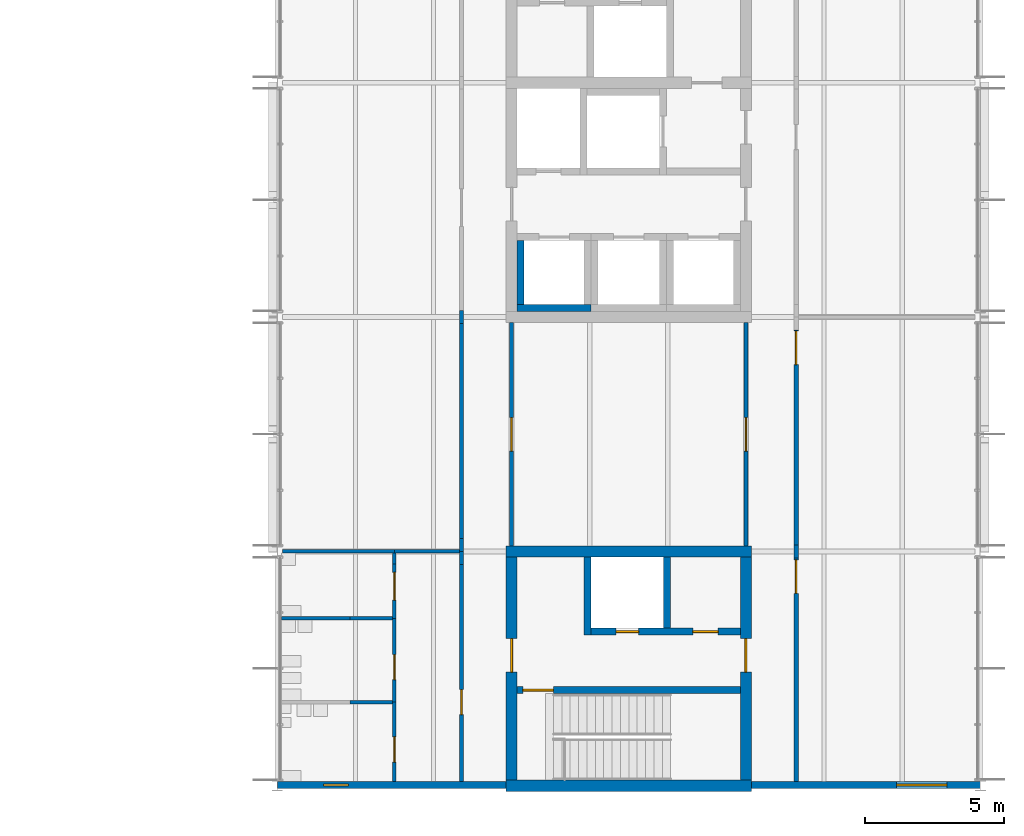
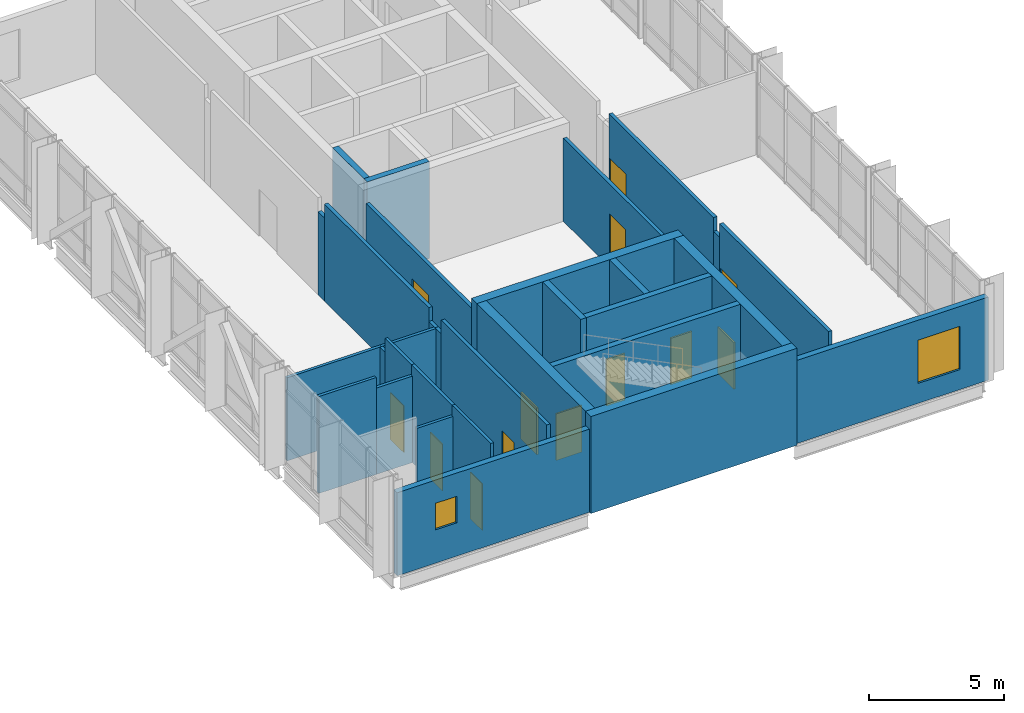
# One storey, part 9 of 14: 31 walls, 13 doors, 2 windows, 15 openings.
"""IFC4 building model written with IfcOpenShell, lengths in metres."""

from ifc_helpers import new_model, si_unit, direction, frame, frame_2d, origin, place, context, subcontext, project, spatial, rectangle, extrude, material, layer, layer_set, type_object, element, fill, save


model = new_model("IFC4")

# Units and contexts
model_context = context("Model", 3, precision=1e-05, world=origin(), true_north=direction((0.0, 1.0)))
body_context = subcontext(model_context, "Body", "Model", "MODEL_VIEW")
ifc_project = project(units=[si_unit("LENGTHUNIT", "METRE"), si_unit("AREAUNIT", "SQUARE_METRE"), si_unit("VOLUMEUNIT", "CUBIC_METRE"), si_unit("PLANEANGLEUNIT", "RADIAN"), si_unit("MASSUNIT", "GRAM", prefix="KILO")], contexts=[model_context])

# Site, building, storey
site_placement = place(None, origin())
site = spatial("IfcSite", under=ifc_project, at=site_placement, CompositionType="ELEMENT")
building_placement = place(site_placement, origin())
building = spatial("IfcBuilding", under=site, at=building_placement, Name="Hlaing Beacon Police Headquarters", CompositionType="ELEMENT")
storey_placement = place(building_placement, frame((0.0, 0.0, 27.89990234375)))
storey = spatial("IfcBuildingStorey", under=building, at=storey_placement, Name="L06", CompositionType="ELEMENT", Elevation=27.89990234375)

# Walls
ifc_material_1 = material(Name="Concrete C60/75", Category="concrete")
ifc_layer_1 = layer(ifc_material_1, 0.39990234375)
ifc_layer_set_1 = layer_set([ifc_layer_1], Name="Concrete C60/75")
wall_type_1 = type_object("IfcWallType", Name="Core shear wall 400", PredefinedType="SHEAR", material=ifc_layer_set_1)
for number, where, z_axis, x_axis, name in (
    (1, (109.0, 33.60009765625, 0.0), (0.0, 0.0, 1.0), (1.0, 0.0, 0.0), "Core shear wall"),
    (2, (109.0, 42.0, 0.0), (0.0, 0.0, 1.0), (1.0, 0.0, 0.0), "Core shear wall"),
):
    element("IfcWall", number, at=place(storey_placement, frame(where, z_axis=z_axis, x_axis=x_axis)), inside=storey, type_object=wall_type_1, Name=name, PredefinedType="SHEAR", context=body_context, shape_type="SweptSolid", body=[
        extrude(rectangle(XDim=8.800048828125, YDim=0.39990234375, at=frame_2d((4.39990234375, 0.0))), origin(), (0.0, 0.0, 1.0), 4.3701171875),
    ])

# Wall, opening, door
wall_1_placement = place(storey_placement, frame((109.199951171875, 33.800048828125, 0.0), z_axis=(0.0, 0.0, 1.0), x_axis=(0.0, 1.0, 0.0)))
wall_1 = element("IfcWall", 3, at=wall_1_placement, inside=storey, type_object=wall_type_1, Name="Core shear wall", PredefinedType="SHEAR", context=body_context, shape_type="SweptSolid", body=[
    extrude(rectangle(XDim=8.0, YDim=0.39990234375, at=frame_2d((4.0, 0.0))), origin(), (0.0, 0.0, 1.0), 4.3701171875),
])
opening_1_placement = place(wall_1_placement, frame((3.875, 0.0, 0.0)))
opening_1 = element("IfcOpeningElement", 4, at=opening_1_placement, cuts=wall_1, Name="Opening L06-912", PredefinedType="OPENING", context=body_context, shape_type="SweptSolid", body=[
    extrude(rectangle(XDim=1.199951171875, YDim=2.10009765625, at=frame_2d((0.60009765625, 1.050048828125))), frame((0.0, 0.2099609375, 0.0), z_axis=(0.0, -1.0, 0.0), x_axis=(1.0, 0.0, 0.0)), (0.0, 0.0, 1.0), 0.419921875),
])
ifc_material_2 = material(Name="Steel fire door leaf", Category="steel")
ifc_layer_2 = layer(ifc_material_2, 0.070068359375)
ifc_layer_set_2 = layer_set([ifc_layer_2], Name="Steel fire door leaf")
door_type_1 = type_object("IfcDoorType", Name="Steel fire door FD60S 1200x2100", OperationType="SINGLE_SWING_LEFT", PredefinedType="DOOR", material=ifc_layer_set_2)
door_1_placement = place(opening_1_placement, frame((1.199951171875, 0.0, 0.0), z_axis=(0.0, 0.0, 1.0), x_axis=(-1.0, 0.0, 0.0)))
door_1 = element("IfcDoor", 5, at=door_1_placement, inside=storey, type_object=door_type_1, Name="Door Stair Lobby ST-L Entry", OperationType="SINGLE_SWING_RIGHT", OverallHeight=2.10009765625, OverallWidth=1.199951171875, PredefinedType="DOOR", context=body_context, shape_type="SweptSolid", body=[
    extrude(rectangle(XDim=1.199951171875, YDim=2.10009765625, at=frame_2d((0.599853515625, 1.050048828125))), frame((0.0, 0.034912109375, 0.0), z_axis=(0.0, -1.0, 0.0), x_axis=(1.0, 0.0, 0.0)), (0.0, 0.0, 1.0), 0.070068359375),
])
fill(opening_1, door_1)

wall_2_placement = place(storey_placement, frame((117.60009765625, 33.800048828125, 0.0), z_axis=(0.0, 0.0, 1.0), x_axis=(0.0, 1.0, 0.0)))
wall_2 = element("IfcWall", 6, at=wall_2_placement, inside=storey, type_object=wall_type_1, Name="Core shear wall", PredefinedType="SHEAR", context=body_context, shape_type="SweptSolid", body=[
    extrude(rectangle(XDim=8.0, YDim=0.39990234375, at=frame_2d((4.0, 0.0))), origin(), (0.0, 0.0, 1.0), 4.3701171875),
])
opening_2_placement = place(wall_2_placement, frame((3.875, 0.0, 0.0)))
opening_2 = element("IfcOpeningElement", 7, at=opening_2_placement, cuts=wall_2, Name="Opening L06-913", PredefinedType="OPENING", context=body_context, shape_type="SweptSolid", body=[
    extrude(rectangle(XDim=1.199951171875, YDim=2.10009765625, at=frame_2d((0.60009765625, 1.050048828125))), frame((0.0, 0.2099609375, 0.0), z_axis=(0.0, -1.0, 0.0), x_axis=(1.0, 0.0, 0.0)), (0.0, 0.0, 1.0), 0.419921875),
])
door_2_placement = place(opening_2_placement, origin())
door_2 = element("IfcDoor", 8, at=door_2_placement, inside=storey, type_object=door_type_1, Name="Door Stair Lobby ST-L Entry", OperationType="SINGLE_SWING_LEFT", OverallHeight=2.10009765625, OverallWidth=1.199951171875, PredefinedType="DOOR", context=body_context, shape_type="SweptSolid", body=[
    extrude(rectangle(XDim=1.199951171875, YDim=2.10009765625, at=frame_2d((0.60009765625, 1.050048828125))), frame((0.0, 0.03515625, 0.0), z_axis=(0.0, -1.0, 0.0), x_axis=(1.0, 0.0, 0.0)), (0.0, 0.0, 1.0), 0.070068359375),
])
fill(opening_2, door_2)

ifc_material_3 = material(Name="Gypsum board partition")
ifc_layer_3 = layer(ifc_material_3, 0.14990234375)
ifc_layer_set_3 = layer_set([ifc_layer_3], Name="Gypsum board partition")
wall_type_2 = type_object("IfcWallType", Name="Corridor wall EI 30 150", PredefinedType="PARTITIONING", material=ifc_layer_set_3)
wall_3_placement = place(storey_placement, frame((119.39990234375, 33.75, 0.0), z_axis=(0.0, 0.0, 1.0), x_axis=(0.0, 1.0, 0.0)))
wall_3 = element("IfcWall", 9, at=wall_3_placement, inside=storey, type_object=wall_type_2, Name="Corridor wall EI 30 150", PredefinedType="PARTITIONING", context=body_context, shape_type="SweptSolid", body=[
    extrude(rectangle(XDim=8.02001953125, YDim=0.14990234375, at=frame_2d((4.010009765625, 0.0))), origin(), (0.0, 0.0, 1.0), 4.3701171875),
])
opening_3_placement = place(wall_3_placement, frame((6.75, 0.0, 0.0)))
opening_3 = element("IfcOpeningElement", 10, at=opening_3_placement, cuts=wall_3, Name="Opening L06-001", PredefinedType="OPENING", context=body_context, shape_type="SweptSolid", body=[
    extrude(rectangle(XDim=1.199951171875, YDim=2.39990234375, at=frame_2d((0.60009765625, 1.199951171875))), frame((0.0, 0.0849609375, 0.0), z_axis=(0.0, -1.0, 0.0), x_axis=(1.0, 0.0, 0.0)), (0.0, 0.0, 1.0), 0.169921875),
])
ifc_material_4 = material(Name="Hardwood door leaf", Category="wood")
ifc_layer_4 = layer(ifc_material_4, 0.050048828125)
ifc_layer_set_4 = layer_set([ifc_layer_4], Name="Hardwood door leaf")
door_type_2 = type_object("IfcDoorType", Name="Fire public door FD30S 1200x2400", OperationType="SINGLE_SWING_LEFT", PredefinedType="DOOR", material=ifc_layer_set_4)
door_3_placement = place(opening_3_placement, origin())
door_3 = element("IfcDoor", 11, at=door_3_placement, inside=storey, type_object=door_type_2, Name="Door Secure Intelligence Room", OperationType="SINGLE_SWING_LEFT", OverallHeight=2.39990234375, OverallWidth=1.199951171875, PredefinedType="DOOR", context=body_context, shape_type="SweptSolid", body=[
    extrude(rectangle(XDim=1.199951171875, YDim=2.39990234375, at=frame_2d((0.60009765625, 1.199951171875))), frame((0.0, 0.02490234375, 0.0), z_axis=(0.0, -1.0, 0.0), x_axis=(1.0, 0.0, 0.0)), (0.0, 0.0, 1.0), 0.050048828125),
])
fill(opening_3, door_3)

# Wall
wall_4_placement = place(storey_placement, frame((119.39990234375, 41.77001953125, 0.0), z_axis=(0.0, 0.0, 1.0), x_axis=(0.0, 1.0, 0.0)))
element("IfcWall", 12, at=wall_4_placement, inside=storey, type_object=wall_type_2, Name="Corridor wall EI 30 150", PredefinedType="PARTITIONING", context=body_context, shape_type="SweptSolid", body=[
    extrude(rectangle(XDim=0.4599609375, YDim=0.14990234375, at=frame_2d((0.22998046875, 0.0))), origin(), (0.0, 0.0, 1.0), 3.74609375),
])

# Wall, opening, door
wall_5_placement = place(storey_placement, frame((119.39990234375, 42.22998046875, 0.0), z_axis=(0.0, 0.0, 1.0), x_axis=(0.0, 1.0, 0.0)))
wall_5 = element("IfcWall", 13, at=wall_5_placement, inside=storey, type_object=wall_type_2, Name="Corridor wall EI 30 150", PredefinedType="PARTITIONING", context=body_context, shape_type="SweptSolid", body=[
    extrude(rectangle(XDim=7.7099609375, YDim=0.14990234375, at=frame_2d((3.85498046875, 0.0))), origin(), (0.0, 0.0, 1.0), 4.3701171875),
])
opening_4_placement = place(wall_5_placement, frame((6.469970703125, 0.0, 0.0)))
opening_4 = element("IfcOpeningElement", 14, at=opening_4_placement, cuts=wall_5, Name="Opening L06-002", PredefinedType="OPENING", context=body_context, shape_type="SweptSolid", body=[
    extrude(rectangle(XDim=1.199951171875, YDim=2.39990234375, at=frame_2d((0.60009765625, 1.199951171875))), frame((0.0, 0.0849609375, 0.0), z_axis=(0.0, -1.0, 0.0), x_axis=(1.0, 0.0, 0.0)), (0.0, 0.0, 1.0), 0.169921875),
])
door_4_placement = place(opening_4_placement, origin())
door_4 = element("IfcDoor", 15, at=door_4_placement, inside=storey, type_object=door_type_2, Name="Door Secure Intelligence Room", OperationType="SINGLE_SWING_RIGHT", OverallHeight=2.39990234375, OverallWidth=1.199951171875, PredefinedType="DOOR", context=body_context, shape_type="SweptSolid", body=[
    extrude(rectangle(XDim=1.199951171875, YDim=2.39990234375, at=frame_2d((0.60009765625, 1.199951171875))), frame((0.0, 0.02490234375, 0.0), z_axis=(0.0, -1.0, 0.0), x_axis=(1.0, 0.0, 0.0)), (0.0, 0.0, 1.0), 0.050048828125),
])
fill(opening_4, door_4)

wall_6_placement = place(storey_placement, frame((117.60009765625, 42.199951171875, 0.0), z_axis=(0.0, 0.0, 1.0), x_axis=(0.0, 1.0, 0.0)))
wall_6 = element("IfcWall", 16, at=wall_6_placement, inside=storey, type_object=wall_type_2, Name="Corridor wall EI 30 150", PredefinedType="PARTITIONING", context=body_context, shape_type="SweptSolid", body=[
    extrude(rectangle(XDim=8.0, YDim=0.14990234375, at=frame_2d((4.0, 0.0))), origin(), (0.0, 0.0, 1.0), 3.74609375),
])
opening_5_placement = place(wall_6_placement, frame((3.39990234375, 0.0, 0.0)))
opening_5 = element("IfcOpeningElement", 17, at=opening_5_placement, cuts=wall_6, Name="Opening L06-005", PredefinedType="OPENING", context=body_context, shape_type="SweptSolid", body=[
    extrude(rectangle(XDim=1.199951171875, YDim=2.39990234375, at=frame_2d((0.60009765625, 1.199951171875))), frame((0.0, 0.0849609375, 0.0), z_axis=(0.0, -1.0, 0.0), x_axis=(1.0, 0.0, 0.0)), (0.0, 0.0, 1.0), 0.169921875),
])
door_5_placement = place(opening_5_placement, frame((1.199951171875, 0.0, 0.0), z_axis=(0.0, 0.0, 1.0), x_axis=(-1.0, 0.0, 0.0)))
door_5 = element("IfcDoor", 18, at=door_5_placement, inside=storey, type_object=door_type_2, Name="Door Intelligence Meeting Room", OperationType="SINGLE_SWING_RIGHT", OverallHeight=2.39990234375, OverallWidth=1.199951171875, PredefinedType="DOOR", context=body_context, shape_type="SweptSolid", body=[
    extrude(rectangle(XDim=1.199951171875, YDim=2.39990234375, at=frame_2d((0.599853515625, 1.199951171875))), frame((0.0, 0.025146484375, 0.0), z_axis=(0.0, -1.0, 0.0), x_axis=(1.0, 0.0, 0.0)), (0.0, 0.0, 1.0), 0.050048828125),
])
fill(opening_5, door_5)

wall_7_placement = place(storey_placement, frame((109.199951171875, 42.199951171875, 0.0), z_axis=(0.0, 0.0, 1.0), x_axis=(0.0, 1.0, 0.0)))
wall_7 = element("IfcWall", 19, at=wall_7_placement, inside=storey, type_object=wall_type_2, Name="Corridor wall EI 30 150", PredefinedType="PARTITIONING", context=body_context, shape_type="SweptSolid", body=[
    extrude(rectangle(XDim=8.0, YDim=0.14990234375, at=frame_2d((4.0, 0.0))), origin(), (0.0, 0.0, 1.0), 3.74609375),
])
opening_6_placement = place(wall_7_placement, frame((3.39990234375, 0.0, 0.0)))
opening_6 = element("IfcOpeningElement", 20, at=opening_6_placement, cuts=wall_7, Name="Opening L06-006", PredefinedType="OPENING", context=body_context, shape_type="SweptSolid", body=[
    extrude(rectangle(XDim=1.199951171875, YDim=2.39990234375, at=frame_2d((0.60009765625, 1.199951171875))), frame((0.0, 0.0849609375, 0.0), z_axis=(0.0, -1.0, 0.0), x_axis=(1.0, 0.0, 0.0)), (0.0, 0.0, 1.0), 0.169921875),
])
door_6_placement = place(opening_6_placement, origin())
door_6 = element("IfcDoor", 21, at=door_6_placement, inside=storey, type_object=door_type_2, Name="Door Intelligence Meeting Room", OperationType="SINGLE_SWING_LEFT", OverallHeight=2.39990234375, OverallWidth=1.199951171875, PredefinedType="DOOR", context=body_context, shape_type="SweptSolid", body=[
    extrude(rectangle(XDim=1.199951171875, YDim=2.39990234375, at=frame_2d((0.60009765625, 1.199951171875))), frame((0.0, 0.02490234375, 0.0), z_axis=(0.0, -1.0, 0.0), x_axis=(1.0, 0.0, 0.0)), (0.0, 0.0, 1.0), 0.050048828125),
])
fill(opening_6, door_6)

wall_8_placement = place(storey_placement, frame((107.39990234375, 33.75, 0.0), z_axis=(0.0, 0.0, 1.0), x_axis=(0.0, 1.0, 0.0)))
wall_8 = element("IfcWall", 22, at=wall_8_placement, inside=storey, type_object=wall_type_2, Name="Corridor wall EI 30 150", PredefinedType="PARTITIONING", context=body_context, shape_type="SweptSolid", body=[
    extrude(rectangle(XDim=7.7900390625, YDim=0.14990234375, at=frame_2d((3.89501953125, 0.0))), origin(), (0.0, 0.0, 1.0), 4.3701171875),
])
opening_7_placement = place(wall_8_placement, frame((2.39990234375, 0.0, 0.0)))
opening_7 = element("IfcOpeningElement", 23, at=opening_7_placement, cuts=wall_8, Name="Opening L06-009", PredefinedType="OPENING", context=body_context, shape_type="SweptSolid", body=[
    extrude(rectangle(XDim=0.89990234375, YDim=2.10009765625, at=frame_2d((0.449951171875, 1.050048828125))), frame((0.0, 0.0849609375, 0.0), z_axis=(0.0, -1.0, 0.0), x_axis=(1.0, 0.0, 0.0)), (0.0, 0.0, 1.0), 0.169921875),
])
ifc_material_5 = material(Name="Hardwood door leaf", Category="wood")
ifc_layer_5 = layer(ifc_material_5, 0.050048828125)
ifc_layer_set_5 = layer_set([ifc_layer_5], Name="Hardwood door leaf")
door_type_3 = type_object("IfcDoorType", Name="Fire door FD30S 900x2100", OperationType="SINGLE_SWING_LEFT", PredefinedType="DOOR", material=ifc_layer_set_5)
door_7_placement = place(opening_7_placement, origin())
door_7 = element("IfcDoor", 24, at=door_7_placement, inside=storey, type_object=door_type_3, Name="Door WC Lobby", OperationType="SINGLE_SWING_LEFT", OverallHeight=2.10009765625, OverallWidth=0.89990234375, PredefinedType="DOOR", context=body_context, shape_type="SweptSolid", body=[
    extrude(rectangle(XDim=0.89990234375, YDim=2.10009765625, at=frame_2d((0.449951171875, 1.050048828125))), frame((0.0, 0.02490234375, 0.0), z_axis=(0.0, -1.0, 0.0), x_axis=(1.0, 0.0, 0.0)), (0.0, 0.0, 1.0), 0.050048828125),
])
fill(opening_7, door_7)

# Walls
for number, where, z_axis, x_axis, name in (
    (25, (107.39990234375, 41.5400390625, 0.0), (0.0, 0.0, 1.0), (0.0, 1.0, 0.0), "Corridor wall EI 30 150"),
    (26, (107.39990234375, 42.0, 0.0), (0.0, 0.0, 1.0), (0.0, 1.0, 0.0), "Corridor wall EI 30 150"),
):
    element("IfcWall", number, at=place(storey_placement, frame(where, z_axis=z_axis, x_axis=x_axis)), inside=storey, type_object=wall_type_2, Name=name, PredefinedType="PARTITIONING", context=body_context, shape_type="SweptSolid", body=[
        extrude(rectangle(XDim=0.4599609375, YDim=0.14990234375, at=frame_2d((0.22998046875, 0.0))), origin(), (0.0, 0.0, 1.0), 3.74609375),
    ])
wall_9_placement = place(storey_placement, frame((107.39990234375, 42.4599609375, 0.0), z_axis=(0.0, 0.0, 1.0), x_axis=(0.0, 1.0, 0.0)))
element("IfcWall", 27, at=wall_9_placement, inside=storey, type_object=wall_type_2, Name="Corridor wall EI 30 150", PredefinedType="PARTITIONING", context=body_context, shape_type="SweptSolid", body=[
    extrude(rectangle(XDim=7.7099609375, YDim=0.14990234375, at=frame_2d((3.85498046875, 0.0))), origin(), (0.0, 0.0, 1.0), 4.3701171875),
])
wall_10_placement = place(storey_placement, frame((107.39990234375, 50.169921875, 0.0), z_axis=(0.0, 0.0, 1.0), x_axis=(0.0, 1.0, 0.0)))
element("IfcWall", 28, at=wall_10_placement, inside=storey, type_object=wall_type_2, Name="Corridor wall EI 30 150", PredefinedType="PARTITIONING", context=body_context, shape_type="SweptSolid", body=[
    extrude(rectangle(XDim=0.4599609375, YDim=0.14990234375, at=frame_2d((0.22998046875, 0.0))), origin(), (0.0, 0.0, 1.0), 3.74609375),
])
ifc_material_6 = material(Name="Gypsum board partition")
ifc_layer_6 = layer(ifc_material_6, 0.125)
ifc_layer_set_6 = layer_set([ifc_layer_6], Name="Gypsum board partition")
wall_type_3 = type_object("IfcWallType", Name="Partition 125", PredefinedType="PARTITIONING", material=ifc_layer_set_6)
wall_11_placement = place(storey_placement, frame((100.949951171875, 39.60009765625, 0.0), z_axis=(0.0, 0.0, 1.0), x_axis=(1.0, 0.0, 0.0)))
element("IfcWall", 29, at=wall_11_placement, inside=storey, type_object=wall_type_3, Name="Partition 125", PredefinedType="PARTITIONING", context=body_context, shape_type="SweptSolid", body=[
    extrude(rectangle(XDim=2.45703125, YDim=0.125, at=frame_2d((1.228515625, 0.0))), origin(), (0.0, 0.0, 1.0), 4.3701171875),
])
wall_12_placement = place(storey_placement, frame((103.406982421875, 39.60009765625, 0.0), z_axis=(0.0, 0.0, 1.0), x_axis=(1.0, 0.0, 0.0)))
element("IfcWall", 30, at=wall_12_placement, inside=storey, type_object=wall_type_3, Name="Partition 125", PredefinedType="PARTITIONING", context=body_context, shape_type="SweptSolid", body=[
    extrude(rectangle(XDim=1.531005859375, YDim=0.125, at=frame_2d((0.765625, 0.0))), origin(), (0.0, 0.0, 1.0), 3.89501953125),
])

# Wall, opening, door
wall_13_placement = place(storey_placement, frame((105.0, 39.60009765625, 0.0), z_axis=(0.0, 0.0, 1.0), x_axis=(0.0, 1.0, 0.0)))
wall_13 = element("IfcWall", 31, at=wall_13_placement, inside=storey, type_object=wall_type_3, Name="Partition 125", PredefinedType="PARTITIONING", context=body_context, shape_type="SweptSolid", body=[
    extrude(rectangle(XDim=1.952880859375, YDim=0.125, at=frame_2d((0.9765625, 0.0))), origin(), (0.0, 0.0, 1.0), 4.3701171875),
])
opening_8_placement = place(wall_13_placement, frame((0.64990234375, 0.0, 0.0)))
opening_8 = element("IfcOpeningElement", 32, at=opening_8_placement, cuts=wall_13, Name="Opening L06-007", PredefinedType="OPENING", context=body_context, shape_type="SweptSolid", body=[
    extrude(rectangle(XDim=1.0, YDim=2.10009765625, at=frame_2d((0.5, 1.050048828125))), frame((0.0, 0.072509765625, 0.0), z_axis=(0.0, -1.0, 0.0), x_axis=(1.0, 0.0, 0.0)), (0.0, 0.0, 1.0), 0.14501953125),
])
ifc_material_7 = material(Name="Hardwood door leaf", Category="wood")
ifc_layer_7 = layer(ifc_material_7, 0.0400390625)
ifc_layer_set_7 = layer_set([ifc_layer_7], Name="Hardwood door leaf")
door_type_4 = type_object("IfcDoorType", Name="Door 1000x2100", OperationType="SINGLE_SWING_LEFT", PredefinedType="DOOR", material=ifc_layer_set_7)
door_8_placement = place(opening_8_placement, origin())
door_8 = element("IfcDoor", 33, at=door_8_placement, inside=storey, type_object=door_type_4, Name="Door Accessible WC", OperationType="SINGLE_SWING_LEFT", OverallHeight=2.10009765625, OverallWidth=1.0, PredefinedType="DOOR", context=body_context, shape_type="SweptSolid", body=[
    extrude(rectangle(XDim=1.0, YDim=2.10009765625, at=frame_2d((0.5, 1.050048828125))), frame((0.0, 0.02001953125, 0.0), z_axis=(0.0, -1.0, 0.0), x_axis=(1.0, 0.0, 0.0)), (0.0, 0.0, 1.0), 0.0400390625),
])
fill(opening_8, door_8)

# Walls
wall_14_placement = place(storey_placement, frame((105.0, 41.552978515625, 0.0), z_axis=(0.0, 0.0, 1.0), x_axis=(0.0, 1.0, 0.0)))
element("IfcWall", 34, at=wall_14_placement, inside=storey, type_object=wall_type_3, Name="Partition 125", PredefinedType="PARTITIONING", context=body_context, shape_type="SweptSolid", body=[
    extrude(rectangle(XDim=0.385009765625, YDim=0.125, at=frame_2d((0.1923828125, 0.0))), origin(), (0.0, 0.0, 1.0), 3.74609375),
])
wall_15_placement = place(storey_placement, frame((100.986083984375, 42.0, 0.0), z_axis=(0.0, 0.0, 1.0), x_axis=(1.0, 0.0, 0.0)))
element("IfcWall", 35, at=wall_15_placement, inside=storey, type_object=wall_type_3, Name="Partition 125", PredefinedType="PARTITIONING", context=body_context, shape_type="SweptSolid", body=[
    extrude(rectangle(XDim=4.013916015625, YDim=0.125, at=frame_2d((2.0068359375, 0.0))), origin(), (0.0, 0.0, 1.0), 3.74609375),
])

# Wall, opening, door
wall_16_placement = place(storey_placement, frame((105.0, 36.60009765625, 0.0), z_axis=(0.0, 0.0, 1.0), x_axis=(0.0, 1.0, 0.0)))
wall_16 = element("IfcWall", 36, at=wall_16_placement, inside=storey, type_object=wall_type_3, Name="Partition 125", PredefinedType="PARTITIONING", context=body_context, shape_type="SweptSolid", body=[
    extrude(rectangle(XDim=3.0, YDim=0.125, at=frame_2d((1.5, 0.0))), origin(), (0.0, 0.0, 1.0), 4.3701171875),
])
opening_9_placement = place(wall_16_placement, frame((0.800048828125, 0.0, 0.0)))
opening_9 = element("IfcOpeningElement", 37, at=opening_9_placement, cuts=wall_16, Name="Opening L06-008", PredefinedType="OPENING", context=body_context, shape_type="SweptSolid", body=[
    extrude(rectangle(XDim=0.89990234375, YDim=2.10009765625, at=frame_2d((0.449951171875, 1.050048828125))), frame((0.0, 0.072509765625, 0.0), z_axis=(0.0, -1.0, 0.0), x_axis=(1.0, 0.0, 0.0)), (0.0, 0.0, 1.0), 0.14501953125),
])
ifc_material_8 = material(Name="Hardwood door leaf", Category="wood")
ifc_layer_8 = layer(ifc_material_8, 0.0400390625)
ifc_layer_set_8 = layer_set([ifc_layer_8], Name="Hardwood door leaf")
door_type_5 = type_object("IfcDoorType", Name="Door 900x2100", OperationType="SINGLE_SWING_LEFT", PredefinedType="DOOR", material=ifc_layer_set_8)
door_9_placement = place(opening_9_placement, origin())
door_9 = element("IfcDoor", 38, at=door_9_placement, inside=storey, type_object=door_type_5, Name="Door Female WC", OperationType="SINGLE_SWING_RIGHT", OverallHeight=2.10009765625, OverallWidth=0.89990234375, PredefinedType="DOOR", context=body_context, shape_type="SweptSolid", body=[
    extrude(rectangle(XDim=0.89990234375, YDim=2.10009765625, at=frame_2d((0.449951171875, 1.050048828125))), frame((0.0, 0.02001953125, 0.0), z_axis=(0.0, -1.0, 0.0), x_axis=(1.0, 0.0, 0.0)), (0.0, 0.0, 1.0), 0.0400390625),
])
fill(opening_9, door_9)

# Wall
wall_17_placement = place(storey_placement, frame((103.406982421875, 36.60009765625, 0.0), z_axis=(0.0, 0.0, 1.0), x_axis=(1.0, 0.0, 0.0)))
element("IfcWall", 39, at=wall_17_placement, inside=storey, type_object=wall_type_3, Name="Partition 125", PredefinedType="PARTITIONING", context=body_context, shape_type="SweptSolid", body=[
    extrude(rectangle(XDim=1.531005859375, YDim=0.125, at=frame_2d((0.765625, 0.0))), origin(), (0.0, 0.0, 1.0), 3.89501953125),
])

# Wall, opening, door
wall_18_placement = place(storey_placement, frame((105.0, 33.75, 0.0), z_axis=(0.0, 0.0, 1.0), x_axis=(0.0, 1.0, 0.0)))
wall_18 = element("IfcWall", 40, at=wall_18_placement, inside=storey, type_object=wall_type_3, Name="Partition 125", PredefinedType="PARTITIONING", context=body_context, shape_type="SweptSolid", body=[
    extrude(rectangle(XDim=2.85009765625, YDim=0.125, at=frame_2d((1.425048828125, 0.0))), origin(), (0.0, 0.0, 1.0), 4.3701171875),
])
opening_10_placement = place(wall_18_placement, frame((0.699951171875, 0.0, 0.0)))
opening_10 = element("IfcOpeningElement", 41, at=opening_10_placement, cuts=wall_18, Name="Opening L06-010", PredefinedType="OPENING", context=body_context, shape_type="SweptSolid", body=[
    extrude(rectangle(XDim=0.89990234375, YDim=2.10009765625, at=frame_2d((0.449951171875, 1.050048828125))), frame((0.0, 0.072509765625, 0.0), z_axis=(0.0, -1.0, 0.0), x_axis=(1.0, 0.0, 0.0)), (0.0, 0.0, 1.0), 0.14501953125),
])
door_10_placement = place(opening_10_placement, origin())
door_10 = element("IfcDoor", 42, at=door_10_placement, inside=storey, type_object=door_type_5, Name="Door Male WC", OperationType="SINGLE_SWING_RIGHT", OverallHeight=2.10009765625, OverallWidth=0.89990234375, PredefinedType="DOOR", context=body_context, shape_type="SweptSolid", body=[
    extrude(rectangle(XDim=0.89990234375, YDim=2.10009765625, at=frame_2d((0.449951171875, 1.050048828125))), frame((0.0, 0.02001953125, 0.0), z_axis=(0.0, -1.0, 0.0), x_axis=(1.0, 0.0, 0.0)), (0.0, 0.0, 1.0), 0.0400390625),
])
fill(opening_10, door_10)

# Wall
wall_19_placement = place(storey_placement, frame((105.0, 42.0, 0.0), z_axis=(0.0, 0.0, 1.0), x_axis=(1.0, 0.0, 0.0)))
element("IfcWall", 43, at=wall_19_placement, inside=storey, type_object=wall_type_3, Name="Partition 125", PredefinedType="PARTITIONING", context=body_context, shape_type="SweptSolid", body=[
    extrude(rectangle(XDim=2.324951171875, YDim=0.125, at=frame_2d((1.16259765625, 0.0))), origin(), (0.0, 0.0, 1.0), 3.74609375),
])

# Wall, opening, window
ifc_material_9 = material(Name="Concrete C40/50 precast ribbed cladding", Category="concrete")
ifc_layer_9 = layer(ifc_material_9, 0.25)
ifc_layer_set_9 = layer_set([ifc_layer_9], Name="Concrete C40/50 precast ribbed cladding")
wall_type_4 = type_object("IfcWallType", Name="Precast ribbed wall 250", PredefinedType="SOLIDWALL", material=ifc_layer_set_9)
wall_20_placement = place(storey_placement, frame((100.804443359375, 33.625, 0.0), z_axis=(0.0, 0.0, 1.0), x_axis=(1.0, 0.0, 0.0)))
wall_20 = element("IfcWall", 44, at=wall_20_placement, inside=storey, type_object=wall_type_4, Name="External wall L06 S003", PredefinedType="SOLIDWALL", context=body_context, shape_type="SweptSolid", body=[
    extrude(rectangle(XDim=8.195556640625, YDim=0.25, at=frame_2d((4.09765625, 0.0))), origin(), (0.0, 0.0, 1.0), 3.74609375),
])
opening_11_placement = place(wall_20_placement, frame((1.6455078125, 0.0, 1.5)))
opening_11 = element("IfcOpeningElement", 45, at=opening_11_placement, cuts=wall_20, Name="Opening WN20", PredefinedType="OPENING", context=body_context, shape_type="SweptSolid", body=[
    extrude(rectangle(XDim=0.89990234375, YDim=1.199951171875, at=frame_2d((0.449951171875, 0.60009765625))), frame((0.0, 0.135009765625, 0.0), z_axis=(0.0, -1.0, 0.0), x_axis=(1.0, 0.0, 0.0)), (0.0, 0.0, 1.0), 0.27001953125),
])
ifc_material_10 = material(Name="Aluminium frame with solar control glazing", Category="aluminium")
window_type_1 = type_object("IfcWindowType", Name="Service room window 900x1200 frame 80", PartitioningType="SINGLE_PANEL", PredefinedType="WINDOW", material=ifc_material_10)
window_1_placement = place(opening_11_placement, origin())
window_1 = element("IfcWindow", 46, at=window_1_placement, inside=storey, type_object=window_type_1, Name="Window L06 WK", OverallHeight=1.199951171875, OverallWidth=0.89990234375, PartitioningType="SINGLE_PANEL", PredefinedType="WINDOW", context=body_context, shape_type="SweptSolid", body=[
    extrude(rectangle(XDim=0.89990234375, YDim=1.199951171875, at=frame_2d((0.449951171875, 0.60009765625))), frame((0.0, 0.0400390625, 0.0), z_axis=(0.0, -1.0, 0.0), x_axis=(1.0, 0.0, 0.0)), (0.0, 0.0, 1.0), 0.080078125),
])
fill(opening_11, window_1)

wall_21_placement = place(storey_placement, frame((117.800048828125, 33.625, 0.0), z_axis=(0.0, 0.0, 1.0), x_axis=(1.0, 0.0, 0.0)))
wall_21 = element("IfcWall", 47, at=wall_21_placement, inside=storey, type_object=wall_type_4, Name="External wall L06 S004", PredefinedType="SOLIDWALL", context=body_context, shape_type="SweptSolid", body=[
    extrude(rectangle(XDim=8.19921875, YDim=0.25, at=frame_2d((4.099609375, 0.0))), origin(), (0.0, 0.0, 1.0), 3.74609375),
])
opening_12_placement = place(wall_21_placement, frame((5.199951171875, 0.0, 0.89990234375)))
opening_12 = element("IfcOpeningElement", 48, at=opening_12_placement, cuts=wall_21, Name="Opening WN37", PredefinedType="OPENING", context=body_context, shape_type="SweptSolid", body=[
    extrude(rectangle(XDim=1.800048828125, YDim=1.949951171875, at=frame_2d((0.89990234375, 0.97509765625))), frame((0.0, 0.135009765625, 0.0), z_axis=(0.0, -1.0, 0.0), x_axis=(1.0, 0.0, 0.0)), (0.0, 0.0, 1.0), 0.27001953125),
])
ifc_material_11 = material(Name="Aluminium frame with solar control glazing", Category="aluminium")
window_type_2 = type_object("IfcWindowType", Name="Wide window 1800x1950 frame 80", PartitioningType="SINGLE_PANEL", PredefinedType="WINDOW", material=ifc_material_11)
window_2_placement = place(opening_12_placement, origin())
window_2 = element("IfcWindow", 49, at=window_2_placement, inside=storey, type_object=window_type_2, Name="Window L06 WM", OverallHeight=1.949951171875, OverallWidth=1.800048828125, PartitioningType="SINGLE_PANEL", PredefinedType="WINDOW", context=body_context, shape_type="SweptSolid", body=[
    extrude(rectangle(XDim=1.800048828125, YDim=1.949951171875, at=frame_2d((0.89990234375, 0.97509765625))), frame((0.0, 0.0400390625, 0.0), z_axis=(0.0, -1.0, 0.0), x_axis=(1.0, 0.0, 0.0)), (0.0, 0.0, 1.0), 0.080078125),
])
fill(opening_12, window_2)

# Wall, opening, door
ifc_material_12 = material(Name="Concrete C40/50", Category="concrete")
ifc_layer_10 = layer(ifc_material_12, 0.25)
ifc_layer_set_10 = layer_set([ifc_layer_10], Name="Concrete C40/50")
wall_type_5 = type_object("IfcWallType", Name="Shaft wall 250", PredefinedType="SOLIDWALL", material=ifc_layer_set_10)
wall_22_placement = place(storey_placement, frame((109.39990234375, 37.02490234375, 0.0), z_axis=(0.0, 0.0, 1.0), x_axis=(1.0, 0.0, 0.0)))
wall_22 = element("IfcWall", 50, at=wall_22_placement, inside=storey, type_object=wall_type_5, Name="Stair enclosure wall", PredefinedType="SOLIDWALL", context=body_context, shape_type="SweptSolid", body=[
    extrude(rectangle(XDim=8.0, YDim=0.25, at=frame_2d((4.0, 0.0))), origin(), (0.0, 0.0, 1.0), 4.3701171875),
])
opening_13_placement = place(wall_22_placement, frame((0.199951171875, 0.0, 0.0)))
opening_13 = element("IfcOpeningElement", 51, at=opening_13_placement, cuts=wall_22, Name="Opening L06-915", PredefinedType="OPENING", context=body_context, shape_type="SweptSolid", body=[
    extrude(rectangle(XDim=1.10009765625, YDim=2.10009765625, at=frame_2d((0.550048828125, 1.050048828125))), frame((0.0, 0.135009765625, 0.0), z_axis=(0.0, -1.0, 0.0), x_axis=(1.0, 0.0, 0.0)), (0.0, 0.0, 1.0), 0.27001953125),
])
ifc_material_13 = material(Name="Steel fire door leaf", Category="steel")
ifc_layer_11 = layer(ifc_material_13, 0.070068359375)
ifc_layer_set_11 = layer_set([ifc_layer_11], Name="Steel fire door leaf")
door_type_6 = type_object("IfcDoorType", Name="Steel fire door FD60 1100x2100", OperationType="SINGLE_SWING_LEFT", PredefinedType="DOOR", material=ifc_layer_set_11)
door_11_placement = place(opening_13_placement, frame((1.10009765625, 0.0, 0.0), z_axis=(0.0, 0.0, 1.0), x_axis=(-1.0, 0.0, 0.0)))
door_11 = element("IfcDoor", 52, at=door_11_placement, inside=storey, type_object=door_type_6, Name="Door Stair ST-L", OperationType="SINGLE_SWING_LEFT", OverallHeight=2.10009765625, OverallWidth=1.10009765625, PredefinedType="DOOR", context=body_context, shape_type="SweptSolid", body=[
    extrude(rectangle(XDim=1.10009765625, YDim=2.10009765625, at=frame_2d((0.550048828125, 1.050048828125))), frame((0.0, 0.034912109375, 0.0), z_axis=(0.0, -1.0, 0.0), x_axis=(1.0, 0.0, 0.0)), (0.0, 0.0, 1.0), 0.070068359375),
])
fill(opening_13, door_11)

# Wall
wall_23_placement = place(storey_placement, frame((111.925048828125, 39.0, 0.0), z_axis=(0.0, 0.0, 1.0), x_axis=(0.0, 1.0, 0.0)))
element("IfcWall", 53, at=wall_23_placement, inside=storey, type_object=wall_type_5, Name="Lobby wall", PredefinedType="SOLIDWALL", context=body_context, shape_type="SweptSolid", body=[
    extrude(rectangle(XDim=2.800048828125, YDim=0.25, at=frame_2d((1.39990234375, 0.0))), origin(), (0.0, 0.0, 1.0), 4.3701171875),
])

# Wall, openings, doors
wall_24_placement = place(storey_placement, frame((112.050048828125, 39.125, 0.0), z_axis=(0.0, 0.0, 1.0), x_axis=(1.0, 0.0, 0.0)))
wall_24 = element("IfcWall", 54, at=wall_24_placement, inside=storey, type_object=wall_type_5, Name="Lobby wall", PredefinedType="SOLIDWALL", context=body_context, shape_type="SweptSolid", body=[
    extrude(rectangle(XDim=5.349853515625, YDim=0.25, at=frame_2d((2.6748046875, 0.0))), origin(), (0.0, 0.0, 1.0), 4.3701171875),
])
opening_14_placement = place(wall_24_placement, frame((3.64990234375, 0.0, 0.0)))
opening_14 = element("IfcOpeningElement", 55, at=opening_14_placement, cuts=wall_24, Name="Opening L06-911", PredefinedType="OPENING", context=body_context, shape_type="SweptSolid", body=[
    extrude(rectangle(XDim=0.89990234375, YDim=2.10009765625, at=frame_2d((0.449951171875, 1.050048828125))), frame((0.0, 0.135009765625, 0.0), z_axis=(0.0, -1.0, 0.0), x_axis=(1.0, 0.0, 0.0)), (0.0, 0.0, 1.0), 0.27001953125),
])
opening_15_placement = place(wall_24_placement, frame((0.89990234375, 0.0, 0.0)))
opening_15 = element("IfcOpeningElement", 56, at=opening_15_placement, cuts=wall_24, Name="Opening L06-914", PredefinedType="OPENING", context=body_context, shape_type="SweptSolid", body=[
    extrude(rectangle(XDim=0.800048828125, YDim=2.10009765625, at=frame_2d((0.39990234375, 1.050048828125))), frame((0.0, 0.135009765625, 0.0), z_axis=(0.0, -1.0, 0.0), x_axis=(1.0, 0.0, 0.0)), (0.0, 0.0, 1.0), 0.27001953125),
])
ifc_material_14 = material(Name="Steel fire door leaf", Category="steel")
ifc_layer_12 = layer(ifc_material_14, 0.070068359375)
ifc_layer_set_12 = layer_set([ifc_layer_12], Name="Steel fire door leaf")
door_type_7 = type_object("IfcDoorType", Name="Steel fire door FD60 800x2100", OperationType="SINGLE_SWING_LEFT", PredefinedType="DOOR", material=ifc_layer_set_12)
door_12_placement = place(opening_15_placement, origin())
door_12 = element("IfcDoor", 57, at=door_12_placement, inside=storey, type_object=door_type_7, Name="Door Services Riser", OperationType="SINGLE_SWING_RIGHT", OverallHeight=2.10009765625, OverallWidth=0.800048828125, PredefinedType="DOOR", context=body_context, shape_type="SweptSolid", body=[
    extrude(rectangle(XDim=0.800048828125, YDim=2.10009765625, at=frame_2d((0.39990234375, 1.050048828125))), frame((0.0, 0.03515625, 0.0), z_axis=(0.0, -1.0, 0.0), x_axis=(1.0, 0.0, 0.0)), (0.0, 0.0, 1.0), 0.070068359375),
])
fill(opening_15, door_12)
ifc_material_15 = material(Name="Steel fire door leaf", Category="steel")
ifc_layer_13 = layer(ifc_material_15, 0.070068359375)
ifc_layer_set_13 = layer_set([ifc_layer_13], Name="Steel fire door leaf")
door_type_8 = type_object("IfcDoorType", Name="Steel fire door FD60 900x2100", OperationType="SINGLE_SWING_LEFT", PredefinedType="DOOR", material=ifc_layer_set_13)
door_13_placement = place(opening_14_placement, origin())
door_13 = element("IfcDoor", 58, at=door_13_placement, inside=storey, type_object=door_type_8, Name="Door Cleaners' Store", OperationType="SINGLE_SWING_LEFT", OverallHeight=2.10009765625, OverallWidth=0.89990234375, PredefinedType="DOOR", context=body_context, shape_type="SweptSolid", body=[
    extrude(rectangle(XDim=0.89990234375, YDim=2.10009765625, at=frame_2d((0.449951171875, 1.050048828125))), frame((0.0, 0.03515625, 0.0), z_axis=(0.0, -1.0, 0.0), x_axis=(1.0, 0.0, 0.0)), (0.0, 0.0, 1.0), 0.070068359375),
])
fill(opening_14, door_13)

# Walls
wall_25_placement = place(storey_placement, frame((114.77490234375, 39.25, 0.0), z_axis=(0.0, 0.0, 1.0), x_axis=(0.0, 1.0, 0.0)))
element("IfcWall", 59, at=wall_25_placement, inside=storey, type_object=wall_type_5, Name="Riser wall", PredefinedType="SOLIDWALL", context=body_context, shape_type="SweptSolid", body=[
    extrude(rectangle(XDim=2.550048828125, YDim=0.25, at=frame_2d((1.27490234375, 0.0))), origin(), (0.0, 0.0, 1.0), 4.3701171875),
])
wall_26_placement = place(storey_placement, frame((109.39990234375, 50.72509765625, 0.0), z_axis=(0.0, 0.0, 1.0), x_axis=(1.0, 0.0, 0.0)))
element("IfcWall", 60, at=wall_26_placement, inside=storey, type_object=wall_type_5, Name="Lift shaft wall PL7", PredefinedType="SOLIDWALL", context=body_context, shape_type="SweptSolid", body=[
    extrude(rectangle(XDim=2.650146484375, YDim=0.25, at=frame_2d((1.3251953125, 0.0))), origin(), (0.0, 0.0, 1.0), 4.3701171875),
])
wall_27_placement = place(storey_placement, frame((109.52490234375, 50.85009765625, 0.0), z_axis=(0.0, 0.0, 1.0), x_axis=(0.0, 1.0, 0.0)))
element("IfcWall", 61, at=wall_27_placement, inside=storey, type_object=wall_type_5, Name="Lift shaft wall PL7", PredefinedType="SOLIDWALL", context=body_context, shape_type="SweptSolid", body=[
    extrude(rectangle(XDim=2.2998046875, YDim=0.25, at=frame_2d((1.14990234375, 0.0))), origin(), (0.0, 0.0, 1.0), 4.3701171875),
])

save(model, "model.ifc")
